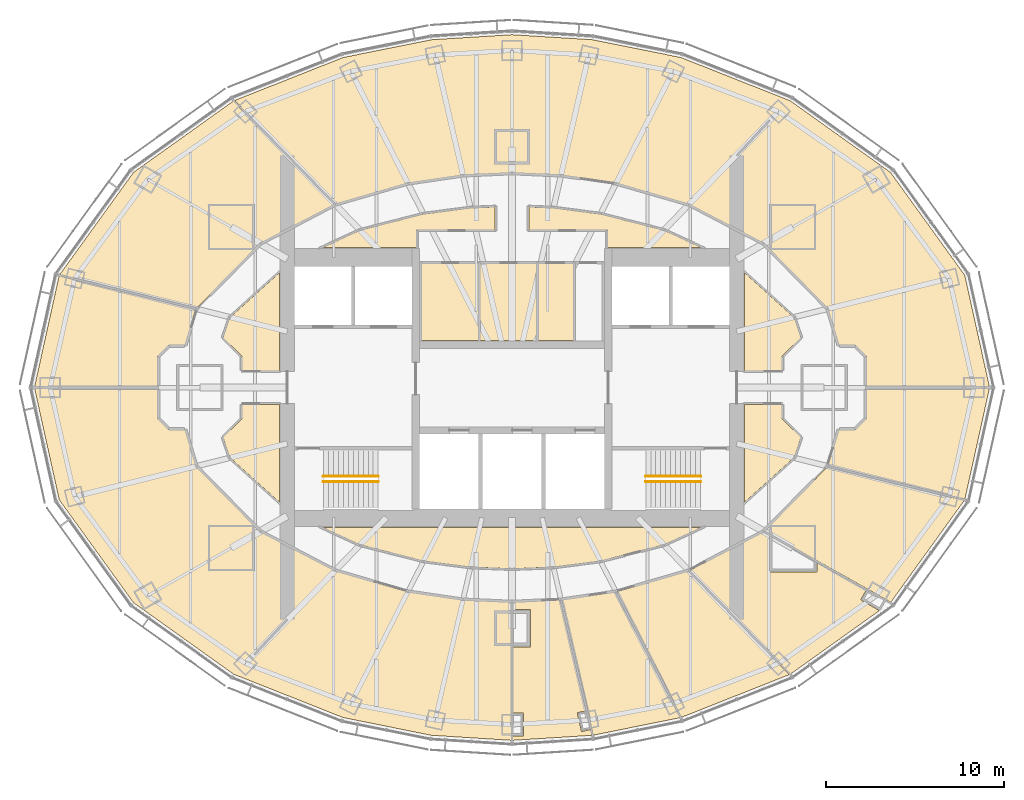
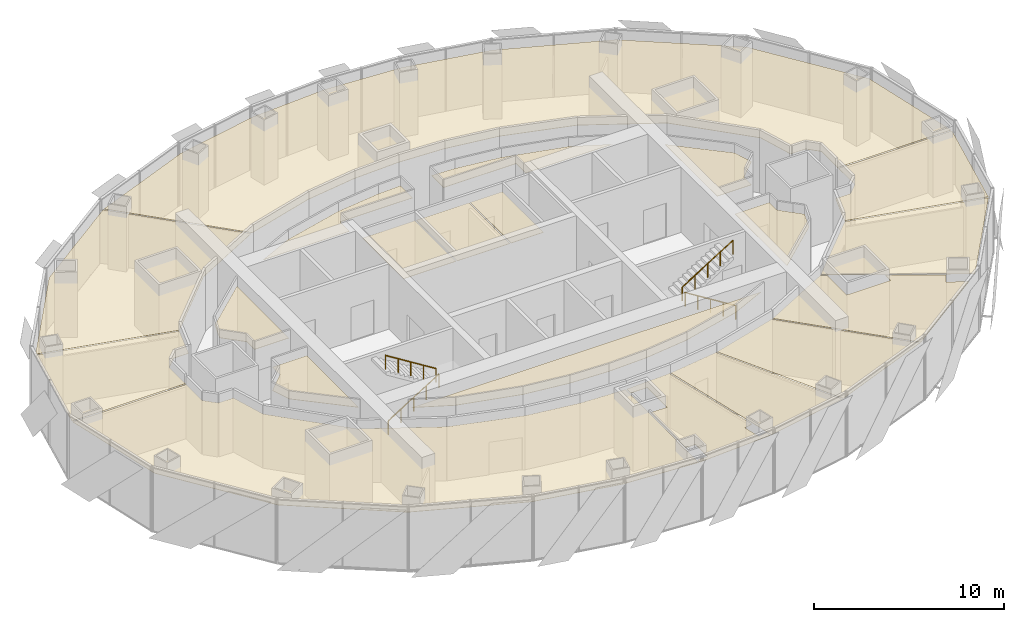
# One storey, part 17 of 17: 20 coverings, 4 railings.
"""IFC4 building model written with IfcOpenShell, lengths in metres."""

import ifcopenshell
import ifcopenshell.guid

model = None  # the IFC model being written
_history = None  # IfcOwnerHistory: only IFC2X3 demands one
_inside = {}  # id of a spatial element -> (the spatial element, [elements in it])
_under = {}  # id of a project, library or spatial element -> (it, [spatial elements below it])
_declared = {}  # id of a project -> (the project, [libraries it declares])
_typed = {}  # id of a type object -> (the type object, [elements of that type])
_made_of = {}  # id of a material, layer set ... -> (it, [elements and type objects made of it])


def new_model(schema):
    """Start an empty IFC model of exactly this schema.

    Asked for "IFC4X3", IfcOpenShell would pick the latest addendum, in which some entities
    have other attributes; the version numbers below select the first issue.
    IFC2X3 requires an IfcOwnerHistory on every rooted entity: one is made here for all.
    """
    global model, _history
    if schema == "IFC4X3":
        model = ifcopenshell.file(schema_version=(4, 3, 0, 0))
    else:
        model = ifcopenshell.file(schema=schema)
    _inside.clear()
    _under.clear()
    _declared.clear()
    _typed.clear()
    _made_of.clear()
    _history = None
    if model.schema == "IFC2X3":
        org = make("IfcOrganization", Name="unknown")
        user = make(
            "IfcPersonAndOrganization",
            ThePerson=make("IfcPerson", FamilyName="unknown"),
            TheOrganization=org,
        )
        app = make(
            "IfcApplication",
            ApplicationDeveloper=org,
            Version="unknown",
            ApplicationFullName="unknown",
            ApplicationIdentifier="unknown",
        )
        _history = make(
            "IfcOwnerHistory",
            OwningUser=user,
            OwningApplication=app,
            ChangeAction="ADDED",
            CreationDate=0,
        )
    return model


def make(cls, **values):
    """One entity of the class cls with the attributes given. An attribute that is None is left unset."""
    return model.create_entity(
        cls, **{name: value for name, value in values.items() if value is not None}
    )


def rooted(cls, **values):
    """An entity with a GlobalId (a new one), such as an element, a storey or a relation."""
    return make(cls, GlobalId=ifcopenshell.guid.new(), OwnerHistory=_history, **values)


def si_unit(unit_type, name, prefix=None):
    """IfcSIUnit, for example si_unit("LENGTHUNIT", "METRE", prefix="MILLI")."""
    return make("IfcSIUnit", UnitType=unit_type, Prefix=prefix, Name=name)


def assignment(units):
    """IfcUnitAssignment: the units of a project."""
    return None if units is None else make("IfcUnitAssignment", Units=units)


def point(xyz):
    """IfcCartesianPoint."""
    return None if xyz is None else make("IfcCartesianPoint", Coordinates=xyz)


def direction(xyz):
    """IfcDirection."""
    return None if xyz is None else make("IfcDirection", DirectionRatios=xyz)


def frame(location, z_axis=None, x_axis=None):
    """IfcAxis2Placement3D, a coordinate frame: its origin and axes. An axis left out is left unset."""
    return make(
        "IfcAxis2Placement3D",
        Location=point(location),
        Axis=direction(z_axis),
        RefDirection=direction(x_axis),
    )


def frame_2d(location, x_axis=None):
    """IfcAxis2Placement2D, a coordinate frame in the plane: its origin and x axis."""
    return make(
        "IfcAxis2Placement2D", Location=point(location), RefDirection=direction(x_axis)
    )


def origin():
    """The frame at (0, 0, 0) with its axes left unset."""
    return frame((0.0, 0.0, 0.0))


def origin_2d():
    """The frame at (0, 0) in the plane with its x axis left unset."""
    return frame_2d((0.0, 0.0))


def place(relative_to, where):
    """IfcLocalPlacement: puts the frame where relative to a parent placement (None: the world)."""
    return make(
        "IfcLocalPlacement", PlacementRelTo=relative_to, RelativePlacement=where
    )


def context(
    kind, dimensions, precision=None, world=None, true_north=None, identifier=None
):
    """IfcGeometricRepresentationContext, for example the 3D "Model" context."""
    return make(
        "IfcGeometricRepresentationContext",
        ContextIdentifier=identifier,
        ContextType=kind,
        CoordinateSpaceDimension=dimensions,
        Precision=precision,
        WorldCoordinateSystem=world,
        TrueNorth=true_north,
    )


def subcontext(parent, identifier, kind, view, scale=None):
    """IfcGeometricRepresentationSubContext, for example "Body" below "Model"."""
    return make(
        "IfcGeometricRepresentationSubContext",
        ContextIdentifier=identifier,
        ContextType=kind,
        ParentContext=parent,
        TargetScale=scale,
        TargetView=view,
    )


def project(units=None, contexts=None):
    """IfcProject with its units and contexts."""
    return rooted(
        "IfcProject",
        Name="project",
        RepresentationContexts=contexts,
        UnitsInContext=assignment(units),
    )


def spatial(cls, under=None, at=None, **own):
    """A site, building, storey or space (cls), placed at a placement, below another one or the project."""
    s = rooted(cls, ObjectPlacement=at, **own)
    if under is not None:
        _under.setdefault(under.id(), (under, []))[1].append(s)
    return s


def polyline(points):
    """IfcPolyline through the points."""
    return make("IfcPolyline", Points=[point(p) for p in points])


def profile(cls, at=None, kind="AREA", **sizes):
    """A parametric profile (cls). Its sizes go by their IFC names, for example OverallWidth=200.0."""
    return make(cls, ProfileType=kind, Position=at, **sizes)


def circle(**sizes):
    """IfcCircleProfileDef."""
    return profile("IfcCircleProfileDef", **sizes)


def outline(outer, holes=None, kind="AREA"):
    """IfcArbitraryClosedProfileDef: a profile drawn as a closed curve; with holes, ...WithVoids."""
    if holes is None:
        return make("IfcArbitraryClosedProfileDef", ProfileType=kind, OuterCurve=outer)
    return make(
        "IfcArbitraryProfileDefWithVoids",
        ProfileType=kind,
        OuterCurve=outer,
        InnerCurves=holes,
    )


def extrude(swept, where, along, depth):
    """IfcExtrudedAreaSolid: the profile swept, set in the frame where, extruded along a direction by depth."""
    return make(
        "IfcExtrudedAreaSolid",
        SweptArea=swept,
        Position=where,
        ExtrudedDirection=direction(along),
        Depth=depth,
    )


def shape(context_of_items, identifier, shape_type, items):
    """IfcShapeRepresentation: the items that make up one representation, for example the "Body"."""
    return make(
        "IfcShapeRepresentation",
        ContextOfItems=context_of_items,
        RepresentationIdentifier=identifier,
        RepresentationType=shape_type,
        Items=items,
    )


def material(Name=None, Category=None):
    """IfcMaterial."""
    return make("IfcMaterial", Name=Name, Category=Category)


def layer(
    of_material, thickness, ventilated=None, Name=None, Category=None, Priority=None
):
    """IfcMaterialLayer: one layer of a wall or slab, of a material (None: an air gap)."""
    return make(
        "IfcMaterialLayer",
        Material=of_material,
        LayerThickness=thickness,
        IsVentilated=ventilated,
        Name=Name,
        Category=Category,
        Priority=Priority,
    )


def layer_set(layers, Name=None):
    """IfcMaterialLayerSet."""
    return make("IfcMaterialLayerSet", MaterialLayers=layers, LayerSetName=Name)


def made_of(thing, what):
    """Note that an element or type object is made of a material, layer set ...; save() writes the relation."""
    if what is not None:
        _made_of.setdefault(what.id(), (what, []))[1].append(thing)
    return thing


def type_object(cls, material=None, **own):
    """A type object (cls), such as IfcWallType, which elements share."""
    return made_of(rooted(cls, **own), material)


def element(
    cls,
    number,
    at=None,
    inside=None,
    cuts=None,
    type_object=None,
    material=None,
    context=None,
    identifier="Body",
    shape_type=None,
    held_by="IfcProductDefinitionShape",
    body=None,
    shapes=None,
    **own,
):
    """One element of the class cls, such as IfcWall. Its Tag is "e" and its number.

    at: its placement. inside: the storey or other place that contains it. cuts: it is an
    opening in that element (IfcRelVoidsElement). A single representation is given by context,
    identifier, shape_type and body (its items); several are given by shapes. held_by: the class
    of the entity that holds the representations. save() writes the other relations.
    """
    e = rooted(cls, Tag="e%d" % number, ObjectPlacement=at, **own)
    if body is not None:
        shapes = [shape(context, identifier, shape_type, body)]
    if shapes is not None:
        e.Representation = make(held_by, Representations=shapes)
    if inside is not None:
        _inside.setdefault(inside.id(), (inside, []))[1].append(e)
    if cuts is not None:
        rooted(
            "IfcRelVoidsElement", RelatingBuildingElement=cuts, RelatedOpeningElement=e
        )
    if type_object is not None:
        _typed.setdefault(type_object.id(), (type_object, []))[1].append(e)
    return made_of(e, material)


def aggregate(whole, parts):
    """IfcRelAggregates: a whole, such as a stair, and the parts it consists of."""
    return rooted("IfcRelAggregates", RelatingObject=whole, RelatedObjects=parts)


def save(model, path):
    """Write the relations noted so far, then the file.

    IfcRelAggregates (storeys below a building ...), IfcRelContainedInSpatialStructure (elements
    in a storey), IfcRelDefinesByType, IfcRelAssociatesMaterial and IfcRelDeclares: one each for
    every whole, place, type object, material and project.
    """
    for whole, parts in _under.values():
        aggregate(whole, parts)
    for where, things in _inside.values():
        rooted(
            "IfcRelContainedInSpatialStructure",
            RelatedElements=things,
            RelatingStructure=where,
        )
    for kind, things in _typed.values():
        rooted("IfcRelDefinesByType", RelatedObjects=things, RelatingType=kind)
    for what, things in _made_of.values():
        rooted("IfcRelAssociatesMaterial", RelatedObjects=things, RelatingMaterial=what)
    for by, libraries in _declared.values():
        rooted("IfcRelDeclares", RelatingContext=by, RelatedDefinitions=libraries)
    model.write(path)


model = new_model("IFC4")

# Units and contexts
model_context = context("Model", 3, precision=1e-05, world=origin(), true_north=direction((0.0, 1.0)))
body_context = subcontext(model_context, "Body", "Model", "MODEL_VIEW")
ifc_project = project(units=[si_unit("LENGTHUNIT", "METRE"), si_unit("AREAUNIT", "SQUARE_METRE"), si_unit("VOLUMEUNIT", "CUBIC_METRE"), si_unit("PLANEANGLEUNIT", "RADIAN"), si_unit("MASSUNIT", "GRAM", prefix="KILO")], contexts=[model_context])

# Site, building, storey
site_placement = place(None, origin())
site = spatial("IfcSite", under=ifc_project, at=site_placement, CompositionType="ELEMENT")
building_placement = place(site_placement, origin())
building = spatial("IfcBuilding", under=site, at=building_placement, Name="Lantaw Convention Tower", CompositionType="ELEMENT")
storey_placement = place(building_placement, frame((0.0, 0.0, 220.0)))
storey = spatial("IfcBuildingStorey", under=building, at=storey_placement, Name="L51", CompositionType="ELEMENT", Elevation=220.0)

# Railings
ifc_material_1 = material(Name="Stainless steel", Category="steel")
railing_type = type_object("IfcRailingType", Name="Stair handrail", PredefinedType="HANDRAIL", material=ifc_material_1)
railing_1_placement = place(storey_placement, frame((-10.580078125, -5.280029296875, 0.175048828125)))
element("IfcRailing", 1, at=railing_1_placement, inside=storey, type_object=railing_type, Name="Stair handrail S1", PredefinedType="HANDRAIL", context=body_context, shape_type="SweptSolid", body=[
    extrude(circle(Radius=0.02392578125, at=origin_2d()), frame((0.0, 0.0, 0.8759765625), z_axis=(0.847998304005, 0.0, 0.529998940003), x_axis=(0.0, 1.0, 0.0)), (0.0, 0.0, 1.0), 3.632080078125),
    extrude(circle(Radius=0.02099609375, at=origin_2d()), origin(), (0.0, 0.0, 1.0), 0.851806640625),
    extrude(circle(Radius=0.02099609375, at=origin_2d()), frame((0.77001953125, 0.0, 0.481201171875)), (0.0, 0.0, 1.0), 0.851806640625),
    extrude(circle(Radius=0.02099609375, at=origin_2d()), frame((1.5400390625, 0.0, 0.96240234375)), (0.0, 0.0, 1.0), 0.851806640625),
    extrude(circle(Radius=0.02099609375, at=origin_2d()), frame((2.31005859375, 0.0, 1.44384765625)), (0.0, 0.0, 1.0), 0.851806640625),
    extrude(circle(Radius=0.02099609375, at=origin_2d()), frame((3.080078125, 0.0, 1.925048828125)), (0.0, 0.0, 1.0), 0.851806640625),
])
for number, where, name in (
    (2, (-7.5, -4.97998046875, 2.27490234375), "Stair handrail S1"),
    (3, (10.580078125, -5.280029296875, 0.175048828125), "Stair handrail S2"),
):
    element("IfcRailing", number, at=place(storey_placement, frame(where)), inside=storey, type_object=railing_type, Name=name, PredefinedType="HANDRAIL", context=body_context, shape_type="SweptSolid", body=[
        extrude(circle(Radius=0.02392578125, at=origin_2d()), frame((0.0, 0.0, 0.8759765625), z_axis=(-0.847998304005, 0.0, 0.529998940003), x_axis=(0.0, -1.0, 0.0)), (0.0, 0.0, 1.0), 3.632080078125),
        extrude(circle(Radius=0.02099609375, at=origin_2d()), origin(), (0.0, 0.0, 1.0), 0.851806640625),
        extrude(circle(Radius=0.02099609375, at=origin_2d()), frame((-0.77001953125, 0.0, 0.481201171875)), (0.0, 0.0, 1.0), 0.851806640625),
        extrude(circle(Radius=0.02099609375, at=origin_2d()), frame((-1.5400390625, 0.0, 0.96240234375)), (0.0, 0.0, 1.0), 0.851806640625),
        extrude(circle(Radius=0.02099609375, at=origin_2d()), frame((-2.31005859375, 0.0, 1.44384765625)), (0.0, 0.0, 1.0), 0.851806640625),
        extrude(circle(Radius=0.02099609375, at=origin_2d()), frame((-3.080078125, 0.0, 1.925048828125)), (0.0, 0.0, 1.0), 0.851806640625),
    ])
railing_2_placement = place(storey_placement, frame((7.5, -4.97998046875, 2.27490234375)))
element("IfcRailing", 4, at=railing_2_placement, inside=storey, type_object=railing_type, Name="Stair handrail S2", PredefinedType="HANDRAIL", context=body_context, shape_type="SweptSolid", body=[
    extrude(circle(Radius=0.02392578125, at=origin_2d()), frame((0.0, 0.0, 0.8759765625), z_axis=(0.847998304005, 0.0, 0.529998940003), x_axis=(0.0, 1.0, 0.0)), (0.0, 0.0, 1.0), 3.632080078125),
    extrude(circle(Radius=0.02099609375, at=origin_2d()), origin(), (0.0, 0.0, 1.0), 0.851806640625),
    extrude(circle(Radius=0.02099609375, at=origin_2d()), frame((0.77001953125, 0.0, 0.481201171875)), (0.0, 0.0, 1.0), 0.851806640625),
    extrude(circle(Radius=0.02099609375, at=origin_2d()), frame((1.5400390625, 0.0, 0.96240234375)), (0.0, 0.0, 1.0), 0.851806640625),
    extrude(circle(Radius=0.02099609375, at=origin_2d()), frame((2.31005859375, 0.0, 1.44384765625)), (0.0, 0.0, 1.0), 0.851806640625),
    extrude(circle(Radius=0.02099609375, at=origin_2d()), frame((3.080078125, 0.0, 1.925048828125)), (0.0, 0.0, 1.0), 0.851806640625),
])

# Coverings
ifc_material_2 = material(Name="Gypsum board on steel suspension grid", Category="steel")
ifc_layer = layer(ifc_material_2, 0.02001953125)
ifc_layer_set = layer_set([ifc_layer], Name="Suspended ceiling")
covering_type = type_object("IfcCoveringType", Name="Suspended ceiling", PredefinedType="CEILING", material=ifc_layer_set)
covering_1_placement = place(storey_placement, frame((0.0, 0.0, 3.449951171875)))
element("IfcCovering", 5, at=covering_1_placement, inside=storey, type_object=covering_type, Name="Male WC ceiling", PredefinedType="CEILING", context=body_context, shape_type="SweptSolid", body=[
    extrude(outline(polyline([(-5.080078125, 2.639892578125), (-1.88330078125, 2.639892578125), (-1.88330078125, 6.9599609375), (-5.080078125, 6.9599609375), (-5.080078125, 2.639892578125)])), origin(), (0.0, 0.0, 1.0), 0.02001953125),
])
covering_2_placement = place(storey_placement, frame((0.0, 0.0, 3.449951171875)))
element("IfcCovering", 6, at=covering_2_placement, inside=storey, type_object=covering_type, Name="Female WC ceiling", PredefinedType="CEILING", context=body_context, shape_type="SweptSolid", body=[
    extrude(outline(polyline([(-1.80322265625, 2.639892578125), (1.3935546875, 2.639892578125), (1.3935546875, 6.9599609375), (-1.80322265625, 6.9599609375), (-1.80322265625, 2.639892578125)])), origin(), (0.0, 0.0, 1.0), 0.02001953125),
])
covering_3_placement = place(storey_placement, frame((0.0, 0.0, 3.449951171875)))
element("IfcCovering", 7, at=covering_3_placement, inside=storey, type_object=covering_type, Name="Accessible WC ceiling", PredefinedType="CEILING", context=body_context, shape_type="SweptSolid", body=[
    extrude(outline(polyline([(1.4736328125, 2.639892578125), (3.441650390625, 2.639892578125), (3.441650390625, 6.9599609375), (1.4736328125, 6.9599609375), (1.4736328125, 2.639892578125)])), origin(), (0.0, 0.0, 1.0), 0.02001953125),
])
covering_4_placement = place(storey_placement, frame((0.0, 0.0, 3.449951171875)))
element("IfcCovering", 8, at=covering_4_placement, inside=storey, type_object=covering_type, Name="Meeting room ceiling", PredefinedType="CEILING", context=body_context, shape_type="SweptSolid", body=[
    extrude(outline(polyline([(-16.20556640625, -2.80029296875), (-15.821044921875, -3.930419921875), (-13.0400390625, -6.4345703125), (-13.0400390625, -0.93994140625), (-15.135009765625, -0.93994140625), (-15.135009765625, -1.7412109375), (-15.7587890625, -2.364990234375), (-15.77099609375, -2.364990234375), (-16.20556640625, -2.80029296875)])), origin(), (0.0, 0.0, 1.0), 0.02001953125),
])
covering_5_placement = place(storey_placement, frame((0.0, 0.0, 3.449951171875)))
element("IfcCovering", 9, at=covering_5_placement, inside=storey, type_object=covering_type, Name="Project room ceiling", PredefinedType="CEILING", context=body_context, shape_type="SweptSolid", body=[
    extrude(outline(polyline([(10.640380859375, -7.840087890625), (-10.640380859375, -7.840087890625), (-8.5341796875, -8.8134765625), (-4.967529296875, -9.724609375), (-2.32958984375, -10.06591796875), (0.0, -10.159912109375), (2.32958984375, -10.06591796875), (4.967529296875, -9.724609375), (8.5341796875, -8.8134765625), (10.640380859375, -7.840087890625)])), origin(), (0.0, 0.0, 1.0), 0.02001953125),
])
covering_6_placement = place(storey_placement, frame((0.0, 0.0, 3.449951171875)))
element("IfcCovering", 10, at=covering_6_placement, inside=storey, type_object=covering_type, Name="Tenant storage room ceiling", PredefinedType="CEILING", context=body_context, shape_type="SweptSolid", body=[
    extrude(outline(polyline([(15.135009765625, -1.7412109375), (15.135009765625, -0.93994140625), (13.0400390625, -0.93994140625), (13.0400390625, -6.4345703125), (15.821044921875, -3.930419921875), (16.20556640625, -2.80029296875), (15.77099609375, -2.364990234375), (15.7587890625, -2.364990234375), (15.135009765625, -1.7412109375)])), origin(), (0.0, 0.0, 1.0), 0.02001953125),
])
covering_7_placement = place(storey_placement, frame((0.0, 0.0, 3.449951171875)))
element("IfcCovering", 11, at=covering_7_placement, inside=storey, type_object=covering_type, Name="Meeting room ceiling", PredefinedType="CEILING", context=body_context, shape_type="SweptSolid", body=[
    extrude(outline(polyline([(15.77099609375, 2.364990234375), (16.20556640625, 2.80029296875), (15.821044921875, 3.930419921875), (13.0400390625, 6.4345703125), (13.0400390625, 0.93994140625), (15.135009765625, 0.93994140625), (15.135009765625, 1.7412109375), (15.7587890625, 2.364990234375), (15.77099609375, 2.364990234375)])), origin(), (0.0, 0.0, 1.0), 0.02001953125),
])
covering_8_placement = place(storey_placement, frame((0.0, 0.0, 3.449951171875)))
element("IfcCovering", 12, at=covering_8_placement, inside=storey, type_object=covering_type, Name="Copy and print room ceiling", PredefinedType="CEILING", context=body_context, shape_type="SweptSolid", body=[
    extrude(outline(polyline([(5.360107421875, 7.840087890625), (10.640380859375, 7.840087890625), (8.5341796875, 8.8134765625), (4.967529296875, 9.724609375), (2.32958984375, 10.06591796875), (0.93994140625, 10.1220703125), (0.93994140625, 8.840087890625), (5.360107421875, 8.840087890625), (5.360107421875, 7.840087890625)])), origin(), (0.0, 0.0, 1.0), 0.02001953125),
])
covering_9_placement = place(storey_placement, frame((0.0, 0.0, 3.449951171875)))
element("IfcCovering", 13, at=covering_9_placement, inside=storey, type_object=covering_type, Name="Project room ceiling", PredefinedType="CEILING", context=body_context, shape_type="SweptSolid", body=[
    extrude(outline(polyline([(-10.640380859375, 7.840087890625), (-5.360107421875, 7.840087890625), (-5.360107421875, 8.840087890625), (-0.93994140625, 8.840087890625), (-0.93994140625, 10.1220703125), (-2.32958984375, 10.06591796875), (-4.967529296875, 9.724609375), (-8.5341796875, 8.8134765625), (-10.640380859375, 7.840087890625)])), origin(), (0.0, 0.0, 1.0), 0.02001953125),
])
covering_10_placement = place(storey_placement, frame((0.0, 0.0, 3.449951171875)))
element("IfcCovering", 14, at=covering_10_placement, inside=storey, type_object=covering_type, Name="Meeting room ceiling", PredefinedType="CEILING", context=body_context, shape_type="SweptSolid", body=[
    extrude(outline(polyline([(-15.77099609375, 2.364990234375), (-15.7587890625, 2.364990234375), (-15.135009765625, 1.7412109375), (-15.135009765625, 0.93994140625), (-13.0400390625, 0.93994140625), (-13.0400390625, 6.4345703125), (-15.821044921875, 3.930419921875), (-16.20556640625, 2.80029296875), (-15.77099609375, 2.364990234375)])), origin(), (0.0, 0.0, 1.0), 0.02001953125),
])
covering_11_placement = place(storey_placement, frame((0.0, 0.0, 3.449951171875)))
element("IfcCovering", 15, at=covering_11_placement, inside=storey, type_object=covering_type, Name="Open office ceiling", PredefinedType="CEILING", context=body_context, shape_type="SweptSolid", body=[
    extrude(outline(polyline([(17.708251953125, 4.42724609375), (18.329345703125, 2.364990234375), (19.2412109375, 2.364990234375), (19.864990234375, 1.7412109375), (19.864990234375, 0.0400390625), (26.77099609375, 0.0400390625), (25.388916015625, 6.290283203125), (21.224365234375, 12.061767578125), (15.60498046875, 16.076416015625), (9.472900390625, 18.504638671875), (4.523193359375, 19.500244140625), (0.0, 19.78466796875), (-4.523193359375, 19.500244140625), (-9.472900390625, 18.504638671875), (-15.5537109375, 16.0966796875), (-9.88134765625, 10.2900390625), (-5.828857421875, 11.462158203125), (-2.745361328125, 11.914306640625), (0.0, 12.0400390625), (2.745361328125, 11.914306640625), (5.828857421875, 11.462158203125), (9.908203125, 10.2822265625), (14.11328125, 8.08349609375), (17.708251953125, 4.42724609375)])), origin(), (0.0, 0.0, 1.0), 0.02001953125),
])
covering_12_placement = place(storey_placement, frame((0.0, 0.0, 3.449951171875)))
element("IfcCovering", 16, at=covering_12_placement, inside=storey, type_object=covering_type, Name="Boardroom ceiling", PredefinedType="CEILING", context=body_context, shape_type="SweptSolid", body=[
    extrude(outline(polyline([(-9.95947265625, 10.25537109375), (-15.62890625, 16.059326171875), (-21.224365234375, 12.061767578125), (-25.359130859375, 6.331787109375), (-17.685302734375, 4.45068359375), (-14.11328125, 8.08349609375), (-9.95947265625, 10.25537109375)])), origin(), (0.0, 0.0, 1.0), 0.02001953125),
])
covering_13_placement = place(storey_placement, frame((0.0, 0.0, 3.449951171875)))
element("IfcCovering", 17, at=covering_13_placement, inside=storey, type_object=covering_type, Name="Pantry ceiling", PredefinedType="CEILING", context=body_context, shape_type="SweptSolid", body=[
    extrude(outline(polyline([(-18.329345703125, 2.364990234375), (-17.72314453125, 4.37744140625), (-25.39599609375, 6.258544921875), (-26.77099609375, 0.0400390625), (-19.864990234375, 0.0400390625), (-19.864990234375, 1.7412109375), (-19.2412109375, 2.364990234375), (-18.329345703125, 2.364990234375)])), origin(), (0.0, 0.0, 1.0), 0.02001953125),
])
covering_14_placement = place(storey_placement, frame((0.0, 0.0, 3.449951171875)))
element("IfcCovering", 18, at=covering_14_placement, inside=storey, type_object=covering_type, Name="Open office ceiling", PredefinedType="CEILING", context=body_context, shape_type="SweptSolid", body=[
    extrude(outline(polyline([(-17.708251953125, -4.42724609375), (-18.329345703125, -2.364990234375), (-19.2412109375, -2.364990234375), (-19.864990234375, -1.7412109375), (-19.864990234375, -0.0400390625), (-26.77099609375, -0.0400390625), (-25.388916015625, -6.290283203125), (-21.224365234375, -12.061767578125), (-15.60498046875, -16.076416015625), (-9.472900390625, -18.504638671875), (-4.523193359375, -19.500244140625), (-0.0400390625, -19.781982421875), (-0.0400390625, -12.038330078125), (-2.745361328125, -11.914306640625), (-5.828857421875, -11.462158203125), (-9.908203125, -10.2822265625), (-14.11328125, -8.08349609375), (-17.708251953125, -4.42724609375)])), origin(), (0.0, 0.0, 1.0), 0.02001953125),
])
covering_15_placement = place(storey_placement, frame((0.0, 0.0, 3.449951171875)))
element("IfcCovering", 19, at=covering_15_placement, inside=storey, type_object=covering_type, Name="Meeting room ceiling", PredefinedType="CEILING", context=body_context, shape_type="SweptSolid", body=[
    extrude(outline(polyline([(2.7099609375, -11.916015625), (0.0400390625, -12.038330078125), (0.0400390625, -12.4599609375), (1.0400390625, -12.4599609375), (1.0400390625, -14.5400390625), (0.0400390625, -14.5400390625), (0.0400390625, -18.260009765625), (0.639892578125, -18.260009765625), (0.639892578125, -19.5400390625), (0.0400390625, -19.5400390625), (0.0400390625, -19.781982421875), (4.478759765625, -19.5029296875), (4.40185546875, -19.173583984375), (3.899169921875, -19.28955078125), (3.65625, -18.2373046875), (4.15673828125, -18.121826171875), (2.7099609375, -11.916015625)])), origin(), (0.0, 0.0, 1.0), 0.02001953125),
])
covering_16_placement = place(storey_placement, frame((0.0, 0.0, 3.449951171875)))
element("IfcCovering", 20, at=covering_16_placement, inside=storey, type_object=covering_type, Name="Meeting room ceiling", PredefinedType="CEILING", context=body_context, shape_type="SweptSolid", body=[
    extrude(outline(polyline([(2.790283203125, -11.90771484375), (4.55859375, -19.492919921875), (9.42431640625, -18.514404296875), (5.7978515625, -11.466796875), (2.790283203125, -11.90771484375)])), origin(), (0.0, 0.0, 1.0), 0.02001953125),
])
covering_17_placement = place(storey_placement, frame((0.0, 0.0, 3.449951171875)))
element("IfcCovering", 21, at=covering_17_placement, inside=storey, type_object=covering_type, Name="Quiet room ceiling", PredefinedType="CEILING", context=body_context, shape_type="SweptSolid", body=[
    extrude(outline(polyline([(5.878173828125, -11.447998046875), (9.503173828125, -18.49267578125), (15.5537109375, -16.0966796875), (9.88134765625, -10.2900390625), (5.878173828125, -11.447998046875)])), origin(), (0.0, 0.0, 1.0), 0.02001953125),
])
covering_18_placement = place(storey_placement, frame((0.0, 0.0, 3.449951171875)))
element("IfcCovering", 22, at=covering_18_placement, inside=storey, type_object=covering_type, Name="Nap room ceiling", PredefinedType="CEILING", context=body_context, shape_type="SweptSolid", body=[
    extrude(outline(polyline([(14.08837890625, -8.096435546875), (9.95947265625, -10.25537109375), (15.62890625, -16.059326171875), (20.599365234375, -12.50830078125), (19.5498046875, -11.908447265625), (19.866455078125, -11.3544921875), (17.090087890625, -9.788818359375), (17.090087890625, -10.340087890625), (14.409912109375, -10.340087890625), (14.409912109375, -8.27783203125), (14.08837890625, -8.096435546875)])), origin(), (0.0, 0.0, 1.0), 0.02001953125),
])
covering_19_placement = place(storey_placement, frame((0.0, 0.0, 3.449951171875)))
element("IfcCovering", 23, at=covering_19_placement, inside=storey, type_object=covering_type, Name="Wellness room ceiling", PredefinedType="CEILING", context=body_context, shape_type="SweptSolid", body=[
    extrude(outline(polyline([(14.154296875, -8.041748046875), (21.241455078125, -12.0380859375), (25.359130859375, -6.331787109375), (17.685302734375, -4.45068359375), (14.154296875, -8.041748046875)])), origin(), (0.0, 0.0, 1.0), 0.02001953125),
])
covering_20_placement = place(storey_placement, frame((0.0, 0.0, 3.449951171875)))
element("IfcCovering", 24, at=covering_20_placement, inside=storey, type_object=covering_type, Name="Pantry ceiling", PredefinedType="CEILING", context=body_context, shape_type="SweptSolid", body=[
    extrude(outline(polyline([(18.329345703125, -2.364990234375), (17.72314453125, -4.37744140625), (25.39599609375, -6.258544921875), (26.77099609375, -0.0400390625), (19.864990234375, -0.0400390625), (19.864990234375, -1.7412109375), (19.2412109375, -2.364990234375), (18.329345703125, -2.364990234375)])), origin(), (0.0, 0.0, 1.0), 0.02001953125),
])

save(model, "model.ifc")
